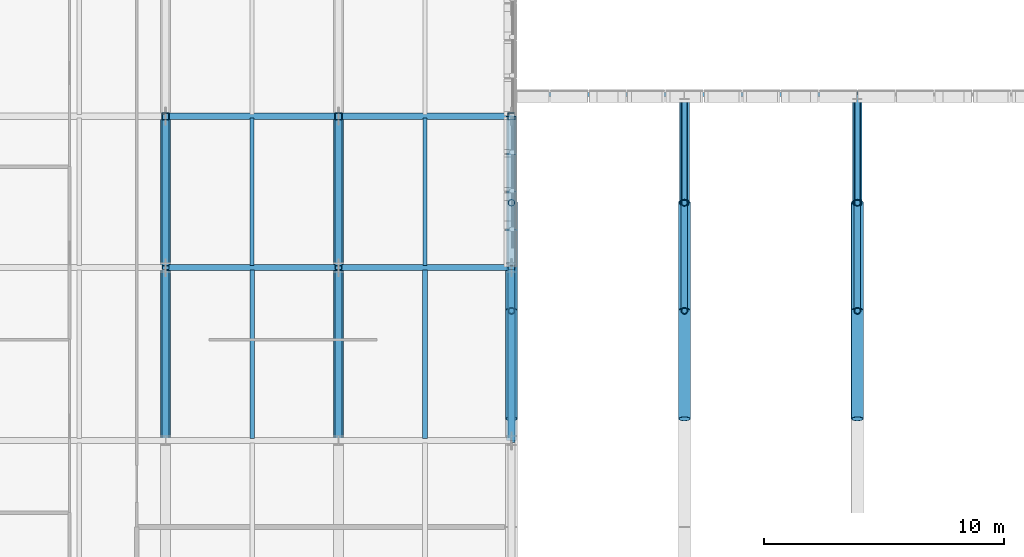
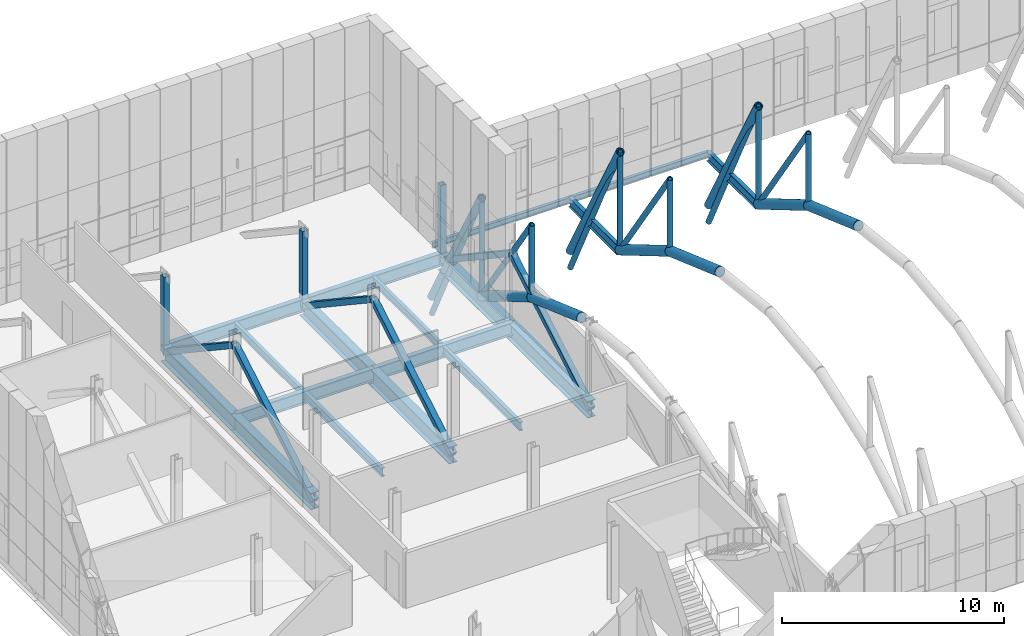
# One storey, part 31 of 144: 30 members, 18 beams.
"""IFC4 building model written with IfcOpenShell, lengths in metres."""

from ifc_helpers import new_model, si_unit, direction, frame, origin, origin_2d, place, context, subcontext, project, spatial, hollow_rectangle, hollow_circle, i_section, extrude, material, material_profile, profile_set, type_object, element, save


model = new_model("IFC4")

# Units and contexts
model_context = context("Model", 3, precision=1e-05, world=origin(), true_north=direction((0.0, 1.0)))
body_context = subcontext(model_context, "Body", "Model", "MODEL_VIEW")
ifc_project = project(units=[si_unit("LENGTHUNIT", "METRE"), si_unit("AREAUNIT", "SQUARE_METRE"), si_unit("VOLUMEUNIT", "CUBIC_METRE"), si_unit("PLANEANGLEUNIT", "RADIAN"), si_unit("MASSUNIT", "GRAM", prefix="KILO")], contexts=[model_context])

# Site, building, storey
site_placement = place(None, origin())
site = spatial("IfcSite", under=ifc_project, at=site_placement, CompositionType="ELEMENT")
building_placement = place(site_placement, origin())
building = spatial("IfcBuilding", under=site, at=building_placement, Name="Yarey Park Central Fire Station", CompositionType="ELEMENT")
storey_placement = place(building_placement, frame((0.0, 0.0, 10.199951171875)))
storey = spatial("IfcBuildingStorey", under=building, at=storey_placement, Name="L03", CompositionType="ELEMENT", Elevation=10.199951171875)

# Beams
ifc_material_1 = material(Name="Steel ASTM A992 Gr. 50", Category="steel")
ifc_material_profile_1 = material_profile(ifc_material_1, i_section(OverallWidth=0.208984375, OverallDepth=0.532958984375, WebThickness=0.01025390625, FlangeThickness=0.015625, at=origin_2d()), Name="W530x92")
ifc_profile_set_1 = profile_set([ifc_material_profile_1], Name="Steel ASTM A992 Gr. 50")
beam_type_1 = type_object("IfcBeamType", Name="STR_BM_W530", PredefinedType="BEAM", material=ifc_profile_set_1)
for number, where, z_axis, x_axis, name in (
    (1, (64.800048828125, 89.199951171875, -0.54638671875), (0.0, 1.0, 0.0), (-1.0, 0.0, 0.0), "V2 BOX OUT N L03 64"),
    (2, (72.0, 89.199951171875, -0.54638671875), (0.0, 1.0, 0.0), (-1.0, 0.0, 0.0), "V2 BOX OUT N L03 72"),
):
    element("IfcBeam", number, at=place(storey_placement, frame(where, z_axis=z_axis, x_axis=x_axis)), inside=storey, type_object=beam_type_1, Name=name, PredefinedType="BEAM", context=body_context, shape_type="SweptSolid", body=[
        extrude(i_section(OverallWidth=0.208984375, OverallDepth=0.532958984375, WebThickness=0.01025390625, FlangeThickness=0.015625, at=origin_2d()), origin(), (0.0, 0.0, 1.0), 4.400146484375),
    ])
ifc_material_profile_2 = material_profile(ifc_material_1, i_section(OverallWidth=0.256103515625, OverallDepth=0.693115234375, WebThickness=0.014404296875, FlangeThickness=0.023681640625, at=origin_2d()), Name="W690x170")
ifc_profile_set_2 = profile_set([ifc_material_profile_2], Name="Steel ASTM A992 Gr. 50")
beam_type_2 = type_object("IfcBeamType", Name="STR_BM_W690", PredefinedType="BEAM", material=ifc_profile_set_2)
beam_1_placement = place(storey_placement, frame((43.199951171875, 92.699951171875, -0.6064453125), z_axis=(1.0, 0.0, 0.0), x_axis=(0.0, 1.0, 0.0)))
element("IfcBeam", 3, at=beam_1_placement, inside=storey, type_object=beam_type_2, Name="CANT TIE L03 Y927 X43", PredefinedType="BEAM", context=body_context, shape_type="SweptSolid", body=[
    extrude(i_section(OverallWidth=0.256103515625, OverallDepth=0.693115234375, WebThickness=0.014404296875, FlangeThickness=0.023681640625, at=origin_2d()), origin(), (0.0, 0.0, 1.0), 7.199951171875),
])
beam_2_placement = place(storey_placement, frame((50.39990234375, 92.699951171875, -0.6064453125), z_axis=(1.0, 0.0, 0.0), x_axis=(0.0, 1.0, 0.0)))
element("IfcBeam", 4, at=beam_2_placement, inside=storey, type_object=beam_type_2, Name="CANT TIE L03 Y927 X50", PredefinedType="BEAM", context=body_context, shape_type="SweptSolid", body=[
    extrude(i_section(OverallWidth=0.256103515625, OverallDepth=0.693115234375, WebThickness=0.014404296875, FlangeThickness=0.023681640625, at=origin_2d()), origin(), (0.0, 0.0, 1.0), 7.2001953125),
])
beam_3_placement = place(storey_placement, frame((43.199951171875, 86.39990234375, -0.6064453125), z_axis=(1.0, 0.0, 0.0), x_axis=(0.0, 1.0, 0.0)))
element("IfcBeam", 5, at=beam_3_placement, inside=storey, type_object=beam_type_2, Name="BMX L03 Y864 X432", PredefinedType="BEAM", context=body_context, shape_type="SweptSolid", body=[
    extrude(i_section(OverallWidth=0.256103515625, OverallDepth=0.693115234375, WebThickness=0.014404296875, FlangeThickness=0.023681640625, at=origin_2d()), origin(), (0.0, 0.0, 1.0), 7.199951171875),
])
beam_4_placement = place(storey_placement, frame((50.39990234375, 86.39990234375, -0.6064453125), z_axis=(1.0, 0.0, 0.0), x_axis=(0.0, 1.0, 0.0)))
element("IfcBeam", 6, at=beam_4_placement, inside=storey, type_object=beam_type_2, Name="BMX L03 Y864 X504", PredefinedType="BEAM", context=body_context, shape_type="SweptSolid", body=[
    extrude(i_section(OverallWidth=0.256103515625, OverallDepth=0.693115234375, WebThickness=0.014404296875, FlangeThickness=0.023681640625, at=origin_2d()), origin(), (0.0, 0.0, 1.0), 7.2001953125),
])
ifc_material_profile_3 = material_profile(ifc_material_1, i_section(OverallWidth=0.41796875, OverallDepth=0.912109375, WebThickness=0.019287109375, FlangeThickness=0.031982421875, at=origin_2d()), Name="W920x342")
ifc_profile_set_3 = profile_set([ifc_material_profile_3], Name="Steel ASTM A992 Gr. 50")
beam_type_3 = type_object("IfcBeamType", Name="STR_BM_W920", PredefinedType="BEAM", material=ifc_profile_set_3)
beam_5_placement = place(storey_placement, frame((43.199951171875, 79.199951171875, -0.716064453125), z_axis=(0.0, 1.0, 0.0), x_axis=(-1.0, 0.0, 0.0)))
element("IfcBeam", 7, at=beam_5_placement, inside=storey, type_object=beam_type_3, Name="Transfer Truss TT3 L03 CH4", PredefinedType="BEAM", context=body_context, shape_type="SweptSolid", body=[
    extrude(i_section(OverallWidth=0.41796875, OverallDepth=0.912109375, WebThickness=0.019287109375, FlangeThickness=0.031982421875, at=origin_2d()), origin(), (0.0, 0.0, 1.0), 7.199951171875),
])
beam_6_placement = place(storey_placement, frame((43.199951171875, 86.39990234375, -0.716064453125), z_axis=(0.0, 1.0, 0.0), x_axis=(-1.0, 0.0, 0.0)))
element("IfcBeam", 8, at=beam_6_placement, inside=storey, type_object=beam_type_3, Name="Transfer Truss TT3 L03 CH5", PredefinedType="BEAM", context=body_context, shape_type="SweptSolid", body=[
    extrude(i_section(OverallWidth=0.41796875, OverallDepth=0.912109375, WebThickness=0.019287109375, FlangeThickness=0.031982421875, at=origin_2d()), origin(), (0.0, 0.0, 1.0), 6.300048828125),
])
beam_7_placement = place(storey_placement, frame((50.39990234375, 79.199951171875, -0.716064453125), z_axis=(0.0, 1.0, 0.0), x_axis=(-1.0, 0.0, 0.0)))
element("IfcBeam", 9, at=beam_7_placement, inside=storey, type_object=beam_type_3, Name="Transfer Truss TT4 L03 CH4", PredefinedType="BEAM", context=body_context, shape_type="SweptSolid", body=[
    extrude(i_section(OverallWidth=0.41796875, OverallDepth=0.912109375, WebThickness=0.019287109375, FlangeThickness=0.031982421875, at=origin_2d()), origin(), (0.0, 0.0, 1.0), 7.199951171875),
])
beam_8_placement = place(storey_placement, frame((50.39990234375, 86.39990234375, -0.716064453125), z_axis=(0.0, 1.0, 0.0), x_axis=(-1.0, 0.0, 0.0)))
element("IfcBeam", 10, at=beam_8_placement, inside=storey, type_object=beam_type_3, Name="Transfer Truss TT4 L03 CH5", PredefinedType="BEAM", context=body_context, shape_type="SweptSolid", body=[
    extrude(i_section(OverallWidth=0.41796875, OverallDepth=0.912109375, WebThickness=0.019287109375, FlangeThickness=0.031982421875, at=origin_2d()), origin(), (0.0, 0.0, 1.0), 6.300048828125),
])
ifc_material_profile_4 = material_profile(ifc_material_1, i_section(OverallWidth=0.41796875, OverallDepth=0.912109375, WebThickness=0.019287109375, FlangeThickness=0.031982421875, at=origin_2d()), Name="W920x342")
ifc_profile_set_4 = profile_set([ifc_material_profile_4], Name="Steel ASTM A992 Gr. 50")
beam_type_4 = type_object("IfcBeamType", Name="STR_BM_W920E", PredefinedType="BEAM", material=ifc_profile_set_4)
beam_9_placement = place(storey_placement, frame((57.60009765625, 79.199951171875, -0.716064453125), z_axis=(0.0, 1.0, 0.0), x_axis=(-1.0, 0.0, 0.0)))
element("IfcBeam", 11, at=beam_9_placement, inside=storey, type_object=beam_type_4, Name="Transfer Truss TT5 L03 CH4", PredefinedType="BEAM", context=body_context, shape_type="SweptSolid", body=[
    extrude(i_section(OverallWidth=0.41796875, OverallDepth=0.912109375, WebThickness=0.019287109375, FlangeThickness=0.031982421875, at=origin_2d()), origin(), (0.0, 0.0, 1.0), 7.199951171875),
])
beam_10_placement = place(storey_placement, frame((57.60009765625, 86.39990234375, -0.716064453125), z_axis=(0.0, 1.0, 0.0), x_axis=(-1.0, 0.0, 0.0)))
element("IfcBeam", 12, at=beam_10_placement, inside=storey, type_object=beam_type_4, Name="Transfer Truss TT5 L03 CH5", PredefinedType="BEAM", context=body_context, shape_type="SweptSolid", body=[
    extrude(i_section(OverallWidth=0.41796875, OverallDepth=0.912109375, WebThickness=0.019287109375, FlangeThickness=0.031982421875, at=origin_2d()), origin(), (0.0, 0.0, 1.0), 6.300048828125),
])

# Members
ifc_material_2 = material(Name="Steel ASTM A500 Gr. C", Category="steel")
ifc_material_profile_5 = material_profile(ifc_material_2, hollow_circle(Radius=0.203125, WallThickness=0.01611328125, at=origin_2d()), Name="CHS 406.4x16")
ifc_profile_set_5 = profile_set([ifc_material_profile_5], Name="Steel ASTM A500 Gr. C")
member_type_1 = type_object("IfcMemberType", Name="STR_CHORD_CHS406", PredefinedType="CHORD", material=ifc_profile_set_5)
for number, where, z_axis, x_axis, name in (
    (13, (57.60009765625, 89.10009765625, 4.91748046875), (0.0, 0.481210036658, -0.876605327738), (-1.0, 0.0, 0.0), "Arched Roof Truss ART_01 Top Chord 8"),
    (14, (64.800048828125, 89.10009765625, 4.91748046875), (0.0, 0.481210036658, -0.876605327738), (-1.0, 0.0, 0.0), "Arched Roof Truss ART_02 Top Chord 8"),
    (15, (72.0, 89.10009765625, 4.91748046875), (0.0, 0.481210036658, -0.876605327738), (-1.0, 0.0, 0.0), "Arched Roof Truss ART_03 Top Chord 8"),
):
    element("IfcMember", number, at=place(storey_placement, frame(where, z_axis=z_axis, x_axis=x_axis)), inside=storey, type_object=member_type_1, Name=name, PredefinedType="CHORD", context=body_context, shape_type="SweptSolid", body=[
        extrude(hollow_circle(Radius=0.203125, WallThickness=0.01611328125, at=origin_2d()), origin(), (0.0, 0.0, 1.0), 9.351318359375),
    ])
ifc_material_profile_6 = material_profile(ifc_material_2, hollow_circle(Radius=0.25390625, WallThickness=0.02001953125, at=origin_2d()), Name="CHS 508x20")
ifc_profile_set_6 = profile_set([ifc_material_profile_6], Name="Steel ASTM A500 Gr. C")
member_type_2 = type_object("IfcMemberType", Name="STR_CHORD_CHS508", PredefinedType="CHORD", material=ifc_profile_set_6)
member_1_placement = place(storey_placement, frame((57.60009765625, 80.10009765625, 3.768798828125), z_axis=(0.0, 0.942627225161, -0.333847142245), x_axis=(-1.0, 0.0, 0.0)))
element("IfcMember", 16, at=member_1_placement, inside=storey, type_object=member_type_2, Name="Arched Roof Truss ART_01 Bottom Chord 6", PredefinedType="CHORD", context=body_context, shape_type="SweptSolid", body=[
    extrude(hollow_circle(Radius=0.25390625, WallThickness=0.02001953125, at=origin_2d()), origin(), (0.0, 0.0, 1.0), 4.77392578125),
])
member_2_placement = place(storey_placement, frame((57.60009765625, 84.60009765625, 2.175048828125), z_axis=(0.0, 0.8611645473, -0.508326295281), x_axis=(-1.0, 0.0, 0.0)))
element("IfcMember", 17, at=member_2_placement, inside=storey, type_object=member_type_2, Name="Arched Roof Truss ART_01 Bottom Chord 7", PredefinedType="CHORD", context=body_context, shape_type="SweptSolid", body=[
    extrude(hollow_circle(Radius=0.25390625, WallThickness=0.02001953125, at=origin_2d()), origin(), (0.0, 0.0, 1.0), 5.2255859375),
])
member_3_placement = place(storey_placement, frame((64.800048828125, 80.10009765625, 3.768798828125), z_axis=(0.0, 0.942627225161, -0.333847142245), x_axis=(-1.0, 0.0, 0.0)))
element("IfcMember", 18, at=member_3_placement, inside=storey, type_object=member_type_2, Name="Arched Roof Truss ART_02 Bottom Chord 6", PredefinedType="CHORD", context=body_context, shape_type="SweptSolid", body=[
    extrude(hollow_circle(Radius=0.25390625, WallThickness=0.02001953125, at=origin_2d()), origin(), (0.0, 0.0, 1.0), 4.77392578125),
])
member_4_placement = place(storey_placement, frame((64.800048828125, 84.60009765625, 2.175048828125), z_axis=(0.0, 0.8611645473, -0.508326295281), x_axis=(-1.0, 0.0, 0.0)))
element("IfcMember", 19, at=member_4_placement, inside=storey, type_object=member_type_2, Name="Arched Roof Truss ART_02 Bottom Chord 7", PredefinedType="CHORD", context=body_context, shape_type="SweptSolid", body=[
    extrude(hollow_circle(Radius=0.25390625, WallThickness=0.02001953125, at=origin_2d()), origin(), (0.0, 0.0, 1.0), 5.2255859375),
])
member_5_placement = place(storey_placement, frame((72.0, 80.10009765625, 3.768798828125), z_axis=(0.0, 0.942627225161, -0.333847142245), x_axis=(-1.0, 0.0, 0.0)))
element("IfcMember", 20, at=member_5_placement, inside=storey, type_object=member_type_2, Name="Arched Roof Truss ART_03 Bottom Chord 6", PredefinedType="CHORD", context=body_context, shape_type="SweptSolid", body=[
    extrude(hollow_circle(Radius=0.25390625, WallThickness=0.02001953125, at=origin_2d()), origin(), (0.0, 0.0, 1.0), 4.77392578125),
])
member_6_placement = place(storey_placement, frame((72.0, 84.60009765625, 2.175048828125), z_axis=(0.0, 0.8611645473, -0.508326295281), x_axis=(-1.0, 0.0, 0.0)))
element("IfcMember", 21, at=member_6_placement, inside=storey, type_object=member_type_2, Name="Arched Roof Truss ART_03 Bottom Chord 7", PredefinedType="CHORD", context=body_context, shape_type="SweptSolid", body=[
    extrude(hollow_circle(Radius=0.25390625, WallThickness=0.02001953125, at=origin_2d()), origin(), (0.0, 0.0, 1.0), 5.2255859375),
])

# Beams
ifc_material_profile_7 = material_profile(ifc_material_1, i_section(OverallWidth=0.177978515625, OverallDepth=0.406982421875, WebThickness=0.0078125, FlangeThickness=0.0126953125, at=origin_2d()), Name="W410x60")
ifc_profile_set_7 = profile_set([ifc_material_profile_7], Name="Steel ASTM A992 Gr. 50")
beam_type_5 = type_object("IfcBeamType", Name="STR_JST_W410", PredefinedType="JOIST", material=ifc_profile_set_7)
for number, where, z_axis, x_axis, name in (
    (22, (46.800048828125, 86.47998046875, -0.46337890625), (0.0, 1.0, 0.0), (-1.0, 0.0, 0.0), "CANT JST L03 X468 Y864"),
    (23, (54.0, 86.47998046875, -0.46337890625), (0.0, 1.0, 0.0), (-1.0, 0.0, 0.0), "CANT JST L03 X540 Y864"),
):
    element("IfcBeam", number, at=place(storey_placement, frame(where, z_axis=z_axis, x_axis=x_axis)), inside=storey, type_object=beam_type_5, Name=name, PredefinedType="JOIST", context=body_context, shape_type="SweptSolid", body=[
        extrude(i_section(OverallWidth=0.177978515625, OverallDepth=0.406982421875, WebThickness=0.0078125, FlangeThickness=0.0126953125, at=origin_2d()), origin(), (0.0, 0.0, 1.0), 6.14013671875),
    ])
ifc_material_profile_8 = material_profile(ifc_material_1, i_section(OverallWidth=0.18994140625, OverallDepth=0.45703125, WebThickness=0.009033203125, FlangeThickness=0.014404296875, at=origin_2d()), Name="W460x74")
ifc_profile_set_8 = profile_set([ifc_material_profile_8], Name="Steel ASTM A992 Gr. 50")
beam_type_6 = type_object("IfcBeamType", Name="STR_JST_W460", PredefinedType="JOIST", material=ifc_profile_set_8)
for number, where, z_axis, x_axis, name in (
    (24, (46.800048828125, 79.294921875, -0.488525390625), (0.0, 1.0, 0.0), (-1.0, 0.0, 0.0), "JST L03 X468 Y792"),
    (25, (54.0, 79.294921875, -0.488525390625), (0.0, 1.0, 0.0), (-1.0, 0.0, 0.0), "JST L03 X540 Y792"),
):
    element("IfcBeam", number, at=place(storey_placement, frame(where, z_axis=z_axis, x_axis=x_axis)), inside=storey, type_object=beam_type_6, Name=name, PredefinedType="JOIST", context=body_context, shape_type="SweptSolid", body=[
        extrude(i_section(OverallWidth=0.18994140625, OverallDepth=0.45703125, WebThickness=0.009033203125, FlangeThickness=0.014404296875, at=origin_2d()), origin(), (0.0, 0.0, 1.0), 7.010009765625),
    ])

# Members
ifc_material_profile_9 = material_profile(ifc_material_2, hollow_rectangle(XDim=0.300048828125, YDim=0.300048828125, WallThickness=0.01611328125, at=origin_2d()), Name="HSS 300x300x16")
ifc_profile_set_9 = profile_set([ifc_material_profile_9], Name="Steel ASTM A500 Gr. C")
member_type_3 = type_object("IfcMemberType", Name="STR_PRATT_HSS300", PredefinedType="BRACE", material=ifc_profile_set_9)
member_7_placement = place(storey_placement, frame((43.199951171875, 79.199951171875, -0.699951171875), z_axis=(0.0, 0.863779963214, 0.503869204407), x_axis=(-1.0, 0.0, 0.0)))
element("IfcMember", 26, at=member_7_placement, inside=storey, type_object=member_type_3, Name="TT3_L03_DIAG4", PredefinedType="BRACE", context=body_context, shape_type="SweptSolid", body=[
    extrude(hollow_rectangle(XDim=0.300048828125, YDim=0.300048828125, WallThickness=0.01611328125, at=origin_2d()), origin(), (0.0, 0.0, 1.0), 8.33544921875),
])
member_8_placement = place(storey_placement, frame((43.199951171875, 86.39990234375, 3.5), z_axis=(0.0, 0.832055254913, -0.55469275529), x_axis=(-1.0, 0.0, 0.0)))
element("IfcMember", 27, at=member_8_placement, inside=storey, type_object=member_type_3, Name="TT3_L03_DIAG5", PredefinedType="BRACE", context=body_context, shape_type="SweptSolid", body=[
    extrude(hollow_rectangle(XDim=0.300048828125, YDim=0.300048828125, WallThickness=0.01611328125, at=origin_2d()), origin(), (0.0, 0.0, 1.0), 7.57177734375),
])
member_9_placement = place(storey_placement, frame((43.199951171875, 92.699951171875, -0.699951171875), z_axis=(0.0, 0.0, 1.0), x_axis=(1.0, 0.0, 0.0)))
element("IfcMember", 28, at=member_9_placement, inside=storey, type_object=member_type_3, Name="TT3_L03_POST_927", PredefinedType="BRACE", context=body_context, shape_type="SweptSolid", body=[
    extrude(hollow_rectangle(XDim=0.300048828125, YDim=0.300048828125, WallThickness=0.01611328125, at=origin_2d()), origin(), (0.0, 0.0, 1.0), 4.199951171875),
])
member_10_placement = place(storey_placement, frame((50.39990234375, 79.199951171875, -0.699951171875), z_axis=(0.0, 0.863779963214, 0.503869204407), x_axis=(-1.0, 0.0, 0.0)))
element("IfcMember", 29, at=member_10_placement, inside=storey, type_object=member_type_3, Name="TT4_L03_DIAG4", PredefinedType="BRACE", context=body_context, shape_type="SweptSolid", body=[
    extrude(hollow_rectangle(XDim=0.300048828125, YDim=0.300048828125, WallThickness=0.01611328125, at=origin_2d()), origin(), (0.0, 0.0, 1.0), 8.33544921875),
])
member_11_placement = place(storey_placement, frame((50.39990234375, 86.39990234375, 3.5), z_axis=(0.0, 0.832055254913, -0.55469275529), x_axis=(-1.0, 0.0, 0.0)))
element("IfcMember", 30, at=member_11_placement, inside=storey, type_object=member_type_3, Name="TT4_L03_DIAG5", PredefinedType="BRACE", context=body_context, shape_type="SweptSolid", body=[
    extrude(hollow_rectangle(XDim=0.300048828125, YDim=0.300048828125, WallThickness=0.01611328125, at=origin_2d()), origin(), (0.0, 0.0, 1.0), 7.57177734375),
])
member_12_placement = place(storey_placement, frame((50.39990234375, 92.699951171875, -0.699951171875), z_axis=(0.0, 0.0, 1.0), x_axis=(1.0, 0.0, 0.0)))
element("IfcMember", 31, at=member_12_placement, inside=storey, type_object=member_type_3, Name="TT4_L03_POST_927", PredefinedType="BRACE", context=body_context, shape_type="SweptSolid", body=[
    extrude(hollow_rectangle(XDim=0.300048828125, YDim=0.300048828125, WallThickness=0.01611328125, at=origin_2d()), origin(), (0.0, 0.0, 1.0), 4.199951171875),
])
ifc_material_profile_10 = material_profile(ifc_material_2, hollow_rectangle(XDim=0.300048828125, YDim=0.300048828125, WallThickness=0.01611328125, at=origin_2d()), Name="HSS 300x300x16")
ifc_profile_set_10 = profile_set([ifc_material_profile_10], Name="Steel ASTM A500 Gr. C")
member_type_4 = type_object("IfcMemberType", Name="STR_PRATT_HSS300E", PredefinedType="BRACE", material=ifc_profile_set_10)
member_13_placement = place(storey_placement, frame((57.60009765625, 79.199951171875, -0.699951171875), z_axis=(0.0, 0.863779963214, 0.503869204407), x_axis=(-1.0, 0.0, 0.0)))
element("IfcMember", 32, at=member_13_placement, inside=storey, type_object=member_type_4, Name="TT5_L03_DIAG4", PredefinedType="BRACE", context=body_context, shape_type="SweptSolid", body=[
    extrude(hollow_rectangle(XDim=0.300048828125, YDim=0.300048828125, WallThickness=0.01611328125, at=origin_2d()), origin(), (0.0, 0.0, 1.0), 8.33544921875),
])
member_14_placement = place(storey_placement, frame((57.60009765625, 86.39990234375, 3.5), z_axis=(0.0, 0.832055254913, -0.55469275529), x_axis=(-1.0, 0.0, 0.0)))
element("IfcMember", 33, at=member_14_placement, inside=storey, type_object=member_type_4, Name="TT5_L03_DIAG5", PredefinedType="BRACE", context=body_context, shape_type="SweptSolid", body=[
    extrude(hollow_rectangle(XDim=0.300048828125, YDim=0.300048828125, WallThickness=0.01611328125, at=origin_2d()), origin(), (0.0, 0.0, 1.0), 7.57177734375),
])
member_15_placement = place(storey_placement, frame((57.60009765625, 92.699951171875, -0.699951171875), z_axis=(0.0, 0.0, 1.0), x_axis=(1.0, 0.0, 0.0)))
element("IfcMember", 34, at=member_15_placement, inside=storey, type_object=member_type_4, Name="TT5_L03_POST_927", PredefinedType="BRACE", context=body_context, shape_type="SweptSolid", body=[
    extrude(hollow_rectangle(XDim=0.300048828125, YDim=0.300048828125, WallThickness=0.01611328125, at=origin_2d()), origin(), (0.0, 0.0, 1.0), 4.199951171875),
])

# Beams
ifc_material_profile_11 = material_profile(ifc_material_1, i_section(OverallWidth=0.1650390625, OverallDepth=0.31005859375, WebThickness=0.005859375, FlangeThickness=0.009765625, at=origin_2d()), Name="W310x39")
ifc_profile_set_11 = profile_set([ifc_material_profile_11], Name="Steel ASTM A992 Gr. 50")
beam_type_7 = type_object("IfcBeamType", Name="STR_SPN_W310", PredefinedType="SPANDREL", material=ifc_profile_set_11)
for number, where, z_axis, x_axis, name in (
    (35, (57.60009765625, 93.60009765625, -0.43505859375), (1.0, 0.0, 0.0), (0.0, 1.0, 0.0), "V2 BOX GIRT N B1 01"),
    (36, (64.800048828125, 93.60009765625, -0.43505859375), (1.0, 0.0, 0.0), (0.0, 1.0, 0.0), "V2 BOX GIRT N B1 02"),
):
    element("IfcBeam", number, at=place(storey_placement, frame(where, z_axis=z_axis, x_axis=x_axis)), inside=storey, type_object=beam_type_7, Name=name, PredefinedType="SPANDREL", context=body_context, shape_type="SweptSolid", body=[
        extrude(i_section(OverallWidth=0.1650390625, OverallDepth=0.31005859375, WebThickness=0.005859375, FlangeThickness=0.009765625, at=origin_2d()), origin(), (0.0, 0.0, 1.0), 7.199951171875),
    ])

# Members
ifc_material_profile_12 = material_profile(ifc_material_2, hollow_circle(Radius=0.136474609375, WallThickness=0.012451171875, at=origin_2d()), Name="CHS 273x12.5")
ifc_profile_set_12 = profile_set([ifc_material_profile_12], Name="Steel ASTM A500 Gr. C")
member_type_5 = type_object("IfcMemberType", Name="STR_WEB_CHS273", PredefinedType="BRACE", material=ifc_profile_set_12)
member_16_placement = place(storey_placement, frame((57.60009765625, 84.60009765625, 6.14013671875), z_axis=(0.0, 0.562095632178, -0.82707224611), x_axis=(-1.0, 0.0, 0.0)))
element("IfcMember", 37, at=member_16_placement, inside=storey, type_object=member_type_5, Name="Arched Roof Truss ART_01 Diagonal 7", PredefinedType="BRACE", context=body_context, shape_type="SweptSolid", body=[
    extrude(hollow_circle(Radius=0.136474609375, WallThickness=0.012451171875, at=origin_2d()), origin(), (0.0, 0.0, 1.0), 8.005859375),
])
member_17_placement = place(storey_placement, frame((57.60009765625, 89.10009765625, 4.91748046875), z_axis=(0.0, 0.442587736107, -0.89672520643), x_axis=(-1.0, 0.0, 0.0)))
element("IfcMember", 38, at=member_17_placement, inside=storey, type_object=member_type_5, Name="Arched Roof Truss ART_01 Diagonal 8", PredefinedType="BRACE", context=body_context, shape_type="SweptSolid", body=[
    extrude(hollow_circle(Radius=0.136474609375, WallThickness=0.012451171875, at=origin_2d()), origin(), (0.0, 0.0, 1.0), 10.16748046875),
])
member_18_placement = place(storey_placement, frame((57.60009765625, 84.60009765625, 2.175048828125), z_axis=(0.0, 0.0, 1.0), x_axis=(1.0, 0.0, 0.0)))
element("IfcMember", 39, at=member_18_placement, inside=storey, type_object=member_type_5, Name="Arched Roof Truss ART_01 Vertical 7", PredefinedType="BRACE", context=body_context, shape_type="SweptSolid", body=[
    extrude(hollow_circle(Radius=0.136474609375, WallThickness=0.012451171875, at=origin_2d()), origin(), (0.0, 0.0, 1.0), 3.965087890625),
])
member_19_placement = place(storey_placement, frame((57.60009765625, 89.10009765625, -0.481201171875), z_axis=(0.0, 0.0, 1.0), x_axis=(1.0, 0.0, 0.0)))
element("IfcMember", 40, at=member_19_placement, inside=storey, type_object=member_type_5, Name="Arched Roof Truss ART_01 Vertical 8", PredefinedType="BRACE", context=body_context, shape_type="SweptSolid", body=[
    extrude(hollow_circle(Radius=0.136474609375, WallThickness=0.012451171875, at=origin_2d()), origin(), (0.0, 0.0, 1.0), 5.398681640625),
])
member_20_placement = place(storey_placement, frame((64.800048828125, 84.60009765625, 6.14013671875), z_axis=(0.0, 0.562095632178, -0.82707224611), x_axis=(-1.0, 0.0, 0.0)))
element("IfcMember", 41, at=member_20_placement, inside=storey, type_object=member_type_5, Name="Arched Roof Truss ART_02 Diagonal 7", PredefinedType="BRACE", context=body_context, shape_type="SweptSolid", body=[
    extrude(hollow_circle(Radius=0.136474609375, WallThickness=0.012451171875, at=origin_2d()), origin(), (0.0, 0.0, 1.0), 8.005859375),
])
member_21_placement = place(storey_placement, frame((64.800048828125, 89.10009765625, 4.91748046875), z_axis=(0.0, 0.442587736107, -0.89672520643), x_axis=(-1.0, 0.0, 0.0)))
element("IfcMember", 42, at=member_21_placement, inside=storey, type_object=member_type_5, Name="Arched Roof Truss ART_02 Diagonal 8", PredefinedType="BRACE", context=body_context, shape_type="SweptSolid", body=[
    extrude(hollow_circle(Radius=0.136474609375, WallThickness=0.012451171875, at=origin_2d()), origin(), (0.0, 0.0, 1.0), 10.16748046875),
])
member_22_placement = place(storey_placement, frame((64.800048828125, 84.60009765625, 2.175048828125), z_axis=(0.0, 0.0, 1.0), x_axis=(1.0, 0.0, 0.0)))
element("IfcMember", 43, at=member_22_placement, inside=storey, type_object=member_type_5, Name="Arched Roof Truss ART_02 Vertical 7", PredefinedType="BRACE", context=body_context, shape_type="SweptSolid", body=[
    extrude(hollow_circle(Radius=0.136474609375, WallThickness=0.012451171875, at=origin_2d()), origin(), (0.0, 0.0, 1.0), 3.965087890625),
])
member_23_placement = place(storey_placement, frame((64.800048828125, 89.10009765625, -0.481201171875), z_axis=(0.0, 0.0, 1.0), x_axis=(1.0, 0.0, 0.0)))
element("IfcMember", 44, at=member_23_placement, inside=storey, type_object=member_type_5, Name="Arched Roof Truss ART_02 Vertical 8", PredefinedType="BRACE", context=body_context, shape_type="SweptSolid", body=[
    extrude(hollow_circle(Radius=0.136474609375, WallThickness=0.012451171875, at=origin_2d()), origin(), (0.0, 0.0, 1.0), 5.398681640625),
])
member_24_placement = place(storey_placement, frame((72.0, 84.60009765625, 6.14013671875), z_axis=(0.0, 0.562095632178, -0.82707224611), x_axis=(-1.0, 0.0, 0.0)))
element("IfcMember", 45, at=member_24_placement, inside=storey, type_object=member_type_5, Name="Arched Roof Truss ART_03 Diagonal 7", PredefinedType="BRACE", context=body_context, shape_type="SweptSolid", body=[
    extrude(hollow_circle(Radius=0.136474609375, WallThickness=0.012451171875, at=origin_2d()), origin(), (0.0, 0.0, 1.0), 8.005859375),
])
member_25_placement = place(storey_placement, frame((72.0, 89.10009765625, 4.91748046875), z_axis=(0.0, 0.442587736107, -0.89672520643), x_axis=(-1.0, 0.0, 0.0)))
element("IfcMember", 46, at=member_25_placement, inside=storey, type_object=member_type_5, Name="Arched Roof Truss ART_03 Diagonal 8", PredefinedType="BRACE", context=body_context, shape_type="SweptSolid", body=[
    extrude(hollow_circle(Radius=0.136474609375, WallThickness=0.012451171875, at=origin_2d()), origin(), (0.0, 0.0, 1.0), 10.16748046875),
])
member_26_placement = place(storey_placement, frame((72.0, 84.60009765625, 2.175048828125), z_axis=(0.0, 0.0, 1.0), x_axis=(1.0, 0.0, 0.0)))
element("IfcMember", 47, at=member_26_placement, inside=storey, type_object=member_type_5, Name="Arched Roof Truss ART_03 Vertical 7", PredefinedType="BRACE", context=body_context, shape_type="SweptSolid", body=[
    extrude(hollow_circle(Radius=0.136474609375, WallThickness=0.012451171875, at=origin_2d()), origin(), (0.0, 0.0, 1.0), 3.965087890625),
])
member_27_placement = place(storey_placement, frame((72.0, 89.10009765625, -0.481201171875), z_axis=(0.0, 0.0, 1.0), x_axis=(1.0, 0.0, 0.0)))
element("IfcMember", 48, at=member_27_placement, inside=storey, type_object=member_type_5, Name="Arched Roof Truss ART_03 Vertical 8", PredefinedType="BRACE", context=body_context, shape_type="SweptSolid", body=[
    extrude(hollow_circle(Radius=0.136474609375, WallThickness=0.012451171875, at=origin_2d()), origin(), (0.0, 0.0, 1.0), 5.398681640625),
])

save(model, "model.ifc")
